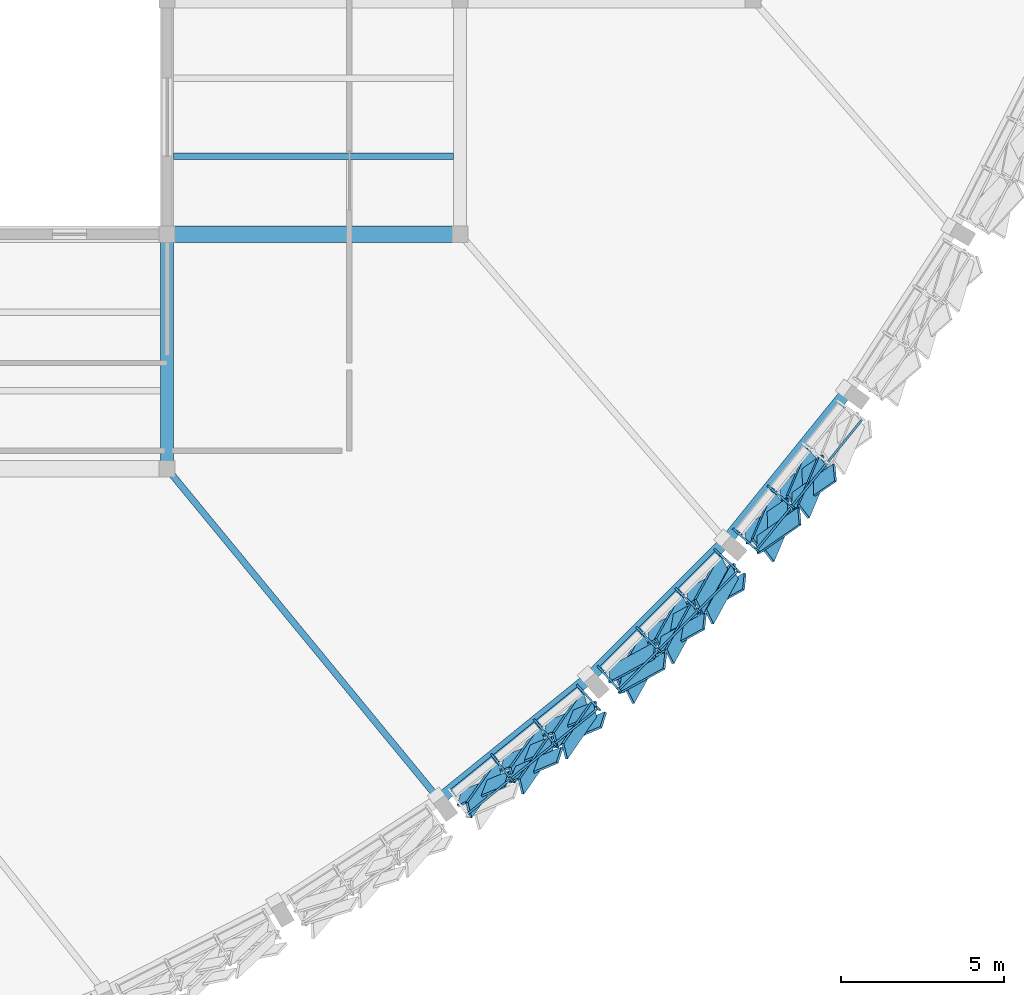
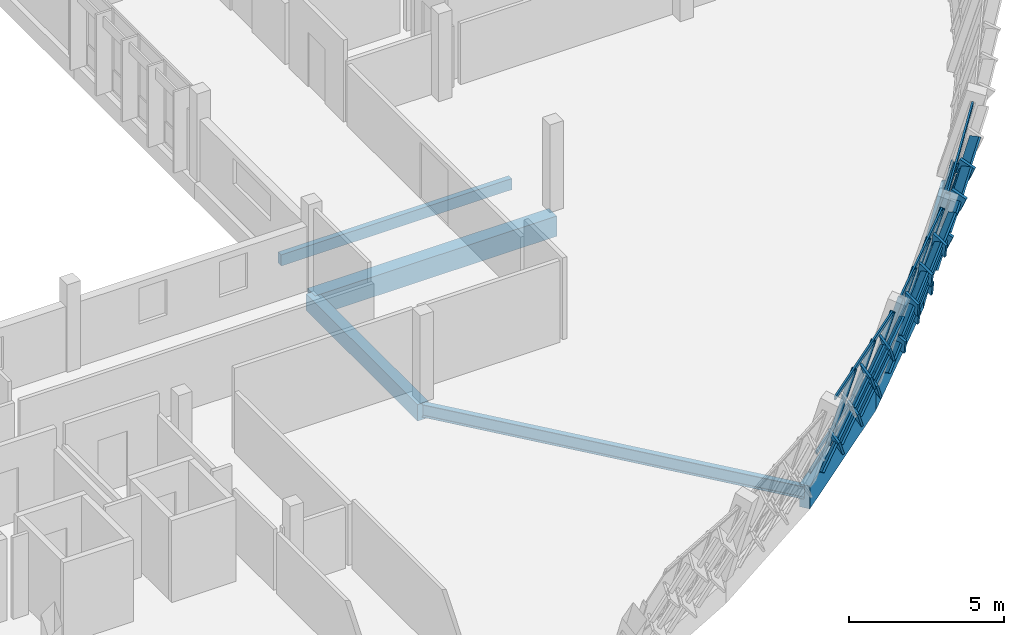
# One storey, part 9 of 24: 47 members, 7 beams, 3 elements without a shape of their own.
"""IFC4 building model written with IfcOpenShell, lengths in metres."""

import ifcopenshell
import ifcopenshell.guid

model = None  # the IFC model being written
_history = None  # IfcOwnerHistory: only IFC2X3 demands one
_inside = {}  # id of a spatial element -> (the spatial element, [elements in it])
_under = {}  # id of a project, library or spatial element -> (it, [spatial elements below it])
_declared = {}  # id of a project -> (the project, [libraries it declares])
_typed = {}  # id of a type object -> (the type object, [elements of that type])
_made_of = {}  # id of a material, layer set ... -> (it, [elements and type objects made of it])


def new_model(schema):
    """Start an empty IFC model of exactly this schema.

    Asked for "IFC4X3", IfcOpenShell would pick the latest addendum, in which some entities
    have other attributes; the version numbers below select the first issue.
    IFC2X3 requires an IfcOwnerHistory on every rooted entity: one is made here for all.
    """
    global model, _history
    if schema == "IFC4X3":
        model = ifcopenshell.file(schema_version=(4, 3, 0, 0))
    else:
        model = ifcopenshell.file(schema=schema)
    _inside.clear()
    _under.clear()
    _declared.clear()
    _typed.clear()
    _made_of.clear()
    _history = None
    if model.schema == "IFC2X3":
        org = make("IfcOrganization", Name="unknown")
        user = make(
            "IfcPersonAndOrganization",
            ThePerson=make("IfcPerson", FamilyName="unknown"),
            TheOrganization=org,
        )
        app = make(
            "IfcApplication",
            ApplicationDeveloper=org,
            Version="unknown",
            ApplicationFullName="unknown",
            ApplicationIdentifier="unknown",
        )
        _history = make(
            "IfcOwnerHistory",
            OwningUser=user,
            OwningApplication=app,
            ChangeAction="ADDED",
            CreationDate=0,
        )
    return model


def make(cls, **values):
    """One entity of the class cls with the attributes given. An attribute that is None is left unset."""
    return model.create_entity(
        cls, **{name: value for name, value in values.items() if value is not None}
    )


def rooted(cls, **values):
    """An entity with a GlobalId (a new one), such as an element, a storey or a relation."""
    return make(cls, GlobalId=ifcopenshell.guid.new(), OwnerHistory=_history, **values)


def si_unit(unit_type, name, prefix=None):
    """IfcSIUnit, for example si_unit("LENGTHUNIT", "METRE", prefix="MILLI")."""
    return make("IfcSIUnit", UnitType=unit_type, Prefix=prefix, Name=name)


def assignment(units):
    """IfcUnitAssignment: the units of a project."""
    return None if units is None else make("IfcUnitAssignment", Units=units)


def point(xyz):
    """IfcCartesianPoint."""
    return None if xyz is None else make("IfcCartesianPoint", Coordinates=xyz)


def direction(xyz):
    """IfcDirection."""
    return None if xyz is None else make("IfcDirection", DirectionRatios=xyz)


def frame(location, z_axis=None, x_axis=None):
    """IfcAxis2Placement3D, a coordinate frame: its origin and axes. An axis left out is left unset."""
    return make(
        "IfcAxis2Placement3D",
        Location=point(location),
        Axis=direction(z_axis),
        RefDirection=direction(x_axis),
    )


def frame_2d(location, x_axis=None):
    """IfcAxis2Placement2D, a coordinate frame in the plane: its origin and x axis."""
    return make(
        "IfcAxis2Placement2D", Location=point(location), RefDirection=direction(x_axis)
    )


def origin():
    """The frame at (0, 0, 0) with its axes left unset."""
    return frame((0.0, 0.0, 0.0))


def origin_2d():
    """The frame at (0, 0) in the plane with its x axis left unset."""
    return frame_2d((0.0, 0.0))


def place(relative_to, where):
    """IfcLocalPlacement: puts the frame where relative to a parent placement (None: the world)."""
    return make(
        "IfcLocalPlacement", PlacementRelTo=relative_to, RelativePlacement=where
    )


def context(
    kind, dimensions, precision=None, world=None, true_north=None, identifier=None
):
    """IfcGeometricRepresentationContext, for example the 3D "Model" context."""
    return make(
        "IfcGeometricRepresentationContext",
        ContextIdentifier=identifier,
        ContextType=kind,
        CoordinateSpaceDimension=dimensions,
        Precision=precision,
        WorldCoordinateSystem=world,
        TrueNorth=true_north,
    )


def subcontext(parent, identifier, kind, view, scale=None):
    """IfcGeometricRepresentationSubContext, for example "Body" below "Model"."""
    return make(
        "IfcGeometricRepresentationSubContext",
        ContextIdentifier=identifier,
        ContextType=kind,
        ParentContext=parent,
        TargetScale=scale,
        TargetView=view,
    )


def project(units=None, contexts=None):
    """IfcProject with its units and contexts."""
    return rooted(
        "IfcProject",
        Name="project",
        RepresentationContexts=contexts,
        UnitsInContext=assignment(units),
    )


def spatial(cls, under=None, at=None, **own):
    """A site, building, storey or space (cls), placed at a placement, below another one or the project."""
    s = rooted(cls, ObjectPlacement=at, **own)
    if under is not None:
        _under.setdefault(under.id(), (under, []))[1].append(s)
    return s


def profile(cls, at=None, kind="AREA", **sizes):
    """A parametric profile (cls). Its sizes go by their IFC names, for example OverallWidth=200.0."""
    return make(cls, ProfileType=kind, Position=at, **sizes)


def rectangle(**sizes):
    """IfcRectangleProfileDef."""
    return profile("IfcRectangleProfileDef", **sizes)


def hollow_rectangle(**sizes):
    """IfcRectangleHollowProfileDef."""
    return profile("IfcRectangleHollowProfileDef", **sizes)


def i_section(**sizes):
    """IfcIShapeProfileDef."""
    return profile("IfcIShapeProfileDef", **sizes)


def extrude(swept, where, along, depth):
    """IfcExtrudedAreaSolid: the profile swept, set in the frame where, extruded along a direction by depth."""
    return make(
        "IfcExtrudedAreaSolid",
        SweptArea=swept,
        Position=where,
        ExtrudedDirection=direction(along),
        Depth=depth,
    )


def shape(context_of_items, identifier, shape_type, items):
    """IfcShapeRepresentation: the items that make up one representation, for example the "Body"."""
    return make(
        "IfcShapeRepresentation",
        ContextOfItems=context_of_items,
        RepresentationIdentifier=identifier,
        RepresentationType=shape_type,
        Items=items,
    )


def material(Name=None, Category=None):
    """IfcMaterial."""
    return make("IfcMaterial", Name=Name, Category=Category)


def material_profile(
    of_material, cross_section, Name=None, Category=None, Priority=None
):
    """IfcMaterialProfile: a cross section and its material."""
    return make(
        "IfcMaterialProfile",
        Name=Name,
        Material=of_material,
        Profile=cross_section,
        Priority=Priority,
        Category=Category,
    )


def profile_set(profiles, Name=None, composite=None):
    """IfcMaterialProfileSet."""
    return make(
        "IfcMaterialProfileSet",
        Name=Name,
        MaterialProfiles=profiles,
        CompositeProfile=composite,
    )


def made_of(thing, what):
    """Note that an element or type object is made of a material, layer set ...; save() writes the relation."""
    if what is not None:
        _made_of.setdefault(what.id(), (what, []))[1].append(thing)
    return thing


def type_object(cls, material=None, **own):
    """A type object (cls), such as IfcWallType, which elements share."""
    return made_of(rooted(cls, **own), material)


def element(
    cls,
    number,
    at=None,
    inside=None,
    cuts=None,
    type_object=None,
    material=None,
    context=None,
    identifier="Body",
    shape_type=None,
    held_by="IfcProductDefinitionShape",
    body=None,
    shapes=None,
    **own,
):
    """One element of the class cls, such as IfcWall. Its Tag is "e" and its number.

    at: its placement. inside: the storey or other place that contains it. cuts: it is an
    opening in that element (IfcRelVoidsElement). A single representation is given by context,
    identifier, shape_type and body (its items); several are given by shapes. held_by: the class
    of the entity that holds the representations. save() writes the other relations.
    """
    e = rooted(cls, Tag="e%d" % number, ObjectPlacement=at, **own)
    if body is not None:
        shapes = [shape(context, identifier, shape_type, body)]
    if shapes is not None:
        e.Representation = make(held_by, Representations=shapes)
    if inside is not None:
        _inside.setdefault(inside.id(), (inside, []))[1].append(e)
    if cuts is not None:
        rooted(
            "IfcRelVoidsElement", RelatingBuildingElement=cuts, RelatedOpeningElement=e
        )
    if type_object is not None:
        _typed.setdefault(type_object.id(), (type_object, []))[1].append(e)
    return made_of(e, material)


def aggregate(whole, parts):
    """IfcRelAggregates: a whole, such as a stair, and the parts it consists of."""
    return rooted("IfcRelAggregates", RelatingObject=whole, RelatedObjects=parts)


def save(model, path):
    """Write the relations noted so far, then the file.

    IfcRelAggregates (storeys below a building ...), IfcRelContainedInSpatialStructure (elements
    in a storey), IfcRelDefinesByType, IfcRelAssociatesMaterial and IfcRelDeclares: one each for
    every whole, place, type object, material and project.
    """
    for whole, parts in _under.values():
        aggregate(whole, parts)
    for where, things in _inside.values():
        rooted(
            "IfcRelContainedInSpatialStructure",
            RelatedElements=things,
            RelatingStructure=where,
        )
    for kind, things in _typed.values():
        rooted("IfcRelDefinesByType", RelatedObjects=things, RelatingType=kind)
    for what, things in _made_of.values():
        rooted("IfcRelAssociatesMaterial", RelatedObjects=things, RelatingMaterial=what)
    for by, libraries in _declared.values():
        rooted("IfcRelDeclares", RelatingContext=by, RelatedDefinitions=libraries)
    model.write(path)


model = new_model("IFC4")

# Units and contexts
model_context = context("Model", 3, precision=1e-05, world=origin(), true_north=direction((0.0, 1.0)))
body_context = subcontext(model_context, "Body", "Model", "MODEL_VIEW")
ifc_project = project(units=[si_unit("LENGTHUNIT", "METRE"), si_unit("AREAUNIT", "SQUARE_METRE"), si_unit("VOLUMEUNIT", "CUBIC_METRE"), si_unit("PLANEANGLEUNIT", "RADIAN"), si_unit("MASSUNIT", "GRAM", prefix="KILO")], contexts=[model_context])

# Site, building, storey
site_placement = place(None, origin())
site = spatial("IfcSite", under=ifc_project, at=site_placement, CompositionType="ELEMENT")
building_placement = place(site_placement, origin())
building = spatial("IfcBuilding", under=site, at=building_placement, Name="Chiffa Square Polytechnic", CompositionType="ELEMENT")
storey_placement = place(building_placement, frame((0.0, 0.0, 26.39990234375)))
storey = spatial("IfcBuildingStorey", under=building, at=storey_placement, Name="L06", CompositionType="ELEMENT", Elevation=26.39990234375)

# Beams
ifc_material_1 = material(Name="Concrete C35/45", Category="concrete")
ifc_material_profile_1 = material_profile(ifc_material_1, rectangle(XDim=0.39990234375, YDim=0.64990234375, at=origin_2d()), Name="RC 400x650")
ifc_profile_set_1 = profile_set([ifc_material_profile_1], Name="Concrete C35/45")
beam_type_1 = type_object("IfcBeamType", Name="BM-RC-400X650", PredefinedType="BEAM", material=ifc_profile_set_1)
beam_1_placement = place(storey_placement, frame((148.199951171875, 21.60009765625, -0.544921875), z_axis=(0.0, 1.0, 0.0), x_axis=(-1.0, 0.0, 0.0)))
element("IfcBeam", 1, at=beam_1_placement, inside=storey, type_object=beam_type_1, Name="Primary floor girder BM-V1-L06-Y-1482-0216", PredefinedType="BEAM", context=body_context, shape_type="SweptSolid", body=[
    extrude(rectangle(XDim=0.39990234375, YDim=0.64990234375, at=origin_2d()), origin(), (0.0, 0.0, 1.0), 7.199951171875),
])
ifc_material_2 = material(Name="Concrete C40/50", Category="concrete")
ifc_material_profile_2 = material_profile(ifc_material_2, rectangle(XDim=0.5, YDim=0.800048828125, at=origin_2d()), Name="RC 500x800")
ifc_profile_set_2 = profile_set([ifc_material_profile_2], Name="Concrete C40/50")
beam_type_2 = type_object("IfcBeamType", Name="BM-RC-500X800", PredefinedType="BEAM", material=ifc_profile_set_2)
beam_2_placement = place(storey_placement, frame((148.199951171875, 28.800048828125, -0.619873046875), z_axis=(1.0, 0.0, 0.0), x_axis=(0.0, 1.0, 0.0)))
element("IfcBeam", 2, at=beam_2_placement, inside=storey, type_object=beam_type_2, Name="Primary floor girder BM-V1-L06-X-1482-0288", PredefinedType="BEAM", context=body_context, shape_type="SweptSolid", body=[
    extrude(rectangle(XDim=0.5, YDim=0.800048828125, at=origin_2d()), origin(), (0.0, 0.0, 1.0), 9.0),
])
ifc_material_3 = material(Name="Steel S355", Category="steel")
ifc_material_profile_3 = material_profile(ifc_material_3, i_section(OverallWidth=0.199951171875, OverallDepth=0.5, WebThickness=0.01025390625, FlangeThickness=0.01611328125, FilletRadius=0.02099609375, at=origin_2d()), Name="IPE 500")
ifc_profile_set_3 = profile_set([ifc_material_profile_3], Name="Steel S355")
beam_type_3 = type_object("IfcBeamType", Name="BM-STL-IPE500", PredefinedType="BEAM", material=ifc_profile_set_3)
beam_3_placement = place(storey_placement, frame((156.55908203125, 11.43505859375, -0.469970703125), z_axis=(-0.635160246873, 0.772380386074, 0.0), x_axis=(-0.772380386074, -0.635160246873, 0.0)))
element("IfcBeam", 3, at=beam_3_placement, inside=storey, type_object=beam_type_3, Name="Prow radial tie girder BM-V1-RAD-L06-09", PredefinedType="BEAM", context=body_context, shape_type="SweptSolid", body=[
    extrude(i_section(OverallWidth=0.199951171875, OverallDepth=0.5, WebThickness=0.01025390625, FlangeThickness=0.01611328125, FilletRadius=0.02099609375, at=origin_2d()), origin(), (0.0, 0.0, 1.0), 13.16064453125),
])

# Curtain wall, members
ifc_material_4 = material(Name="Aluminium EN AW-6060 T66 and glulam shading", Category="wood")
curtain_wall_type_1 = type_object("IfcCurtainWallType", Name="CW-PROW-LEAN-150", PredefinedType="USERDEFINED", material=ifc_material_4)
curtain_wall_1_placement = place(storey_placement, origin())
curtain_wall_1 = element("IfcCurtainWall", 4, at=curtain_wall_1_placement, inside=storey, type_object=curtain_wall_type_1, Name="Outward-leaning diamond-fin prow curtain wall CW-V1-L06-103", ObjectType="CURTAIN WALL", PredefinedType="USERDEFINED")
ifc_material_5 = material(Name="Aluminium EN AW-6060 T66", Category="aluminium")
ifc_material_profile_4 = material_profile(ifc_material_5, hollow_rectangle(XDim=0.06494140625, YDim=0.179931640625, WallThickness=0.00390625, at=origin_2d()), Name="ALU 65x180x4")
ifc_profile_set_4 = profile_set([ifc_material_profile_4], Name="Aluminium EN AW-6060 T66")
member_type_1 = type_object("IfcMemberType", Name="CWM-ALU-75X180", PredefinedType="MULLION", material=ifc_profile_set_4)
member_1_placement = place(storey_placement, frame((158.209228515625, 12.771728515625, 0.0), z_axis=(0.167554074429, -0.214320148408, 0.962285044116), x_axis=(0.787816645087, 0.615909842204, 0.0)))
member_1 = element("IfcMember", 5, at=member_1_placement, type_object=member_type_1, Name="Leaning prow mullion CW-V1-L06-103-M01", PredefinedType="MULLION", context=body_context, shape_type="SweptSolid", body=[
    extrude(hollow_rectangle(XDim=0.06494140625, YDim=0.179931640625, WallThickness=0.00390625, at=origin_2d()), origin(), (0.0, 0.0, 1.0), 3.341064453125),
])
member_2_placement = place(storey_placement, frame((159.525634765625, 13.83740234375, 0.0), z_axis=(0.174934766277, -0.208328746305, 0.962287358854), x_axis=(0.765815977547, 0.643059786127, 0.0)))
member_2 = element("IfcMember", 6, at=member_2_placement, type_object=member_type_1, Name="Leaning prow mullion CW-V1-L06-103-M02", PredefinedType="MULLION", context=body_context, shape_type="SweptSolid", body=[
    extrude(hollow_rectangle(XDim=0.06494140625, YDim=0.179931640625, WallThickness=0.00390625, at=origin_2d()), origin(), (0.0, 0.0, 1.0), 3.341064453125),
])
member_3_placement = place(storey_placement, frame((160.842041015625, 14.903076171875, 0.0), z_axis=(0.182228380657, -0.20232172656, 0.962215535234), x_axis=(0.743040575859, 0.669246369155, 0.0)))
member_3 = element("IfcMember", 7, at=member_3_placement, type_object=member_type_1, Name="Leaning prow mullion CW-V1-L06-103-M03", PredefinedType="MULLION", context=body_context, shape_type="SweptSolid", body=[
    extrude(hollow_rectangle(XDim=0.06494140625, YDim=0.179931640625, WallThickness=0.00390625, at=origin_2d()), origin(), (0.0, 0.0, 1.0), 3.34130859375),
])

curtain_wall_type_2 = type_object("IfcCurtainWallType", Name="CW-PROW-LEAN-300", PredefinedType="USERDEFINED", material=ifc_material_4)
curtain_wall_2_placement = place(storey_placement, origin())
curtain_wall_2 = element("IfcCurtainWall", 8, at=curtain_wall_2_placement, inside=storey, type_object=curtain_wall_type_2, Name="Outward-leaning diamond-fin prow curtain wall CW-V1-L06-104", ObjectType="CURTAIN WALL", PredefinedType="USERDEFINED")
member_4_placement = place(storey_placement, frame((161.47998046875, 15.47802734375, 0.0), z_axis=(0.182299019619, -0.202319032194, 0.962202721186), x_axis=(0.742907144413, 0.66939448368, 0.0)))
member_4 = element("IfcMember", 9, at=member_4_placement, type_object=member_type_1, Name="Leaning prow mullion CW-V1-L06-104-M00", PredefinedType="MULLION", context=body_context, shape_type="SweptSolid", body=[
    extrude(hollow_rectangle(XDim=0.06494140625, YDim=0.179931640625, WallThickness=0.00390625, at=origin_2d()), origin(), (0.0, 0.0, 1.0), 3.34130859375),
])
member_5_placement = place(storey_placement, frame((162.67724609375, 16.67529296875, 0.0), z_axis=(0.188967503944, -0.19561717249, 0.962302033813), x_axis=(0.719225521691, 0.694776689986, 0.0)))
member_5 = element("IfcMember", 10, at=member_5_placement, type_object=member_type_1, Name="Leaning prow mullion CW-V1-L06-104-M01", PredefinedType="MULLION", context=body_context, shape_type="SweptSolid", body=[
    extrude(hollow_rectangle(XDim=0.06494140625, YDim=0.179931640625, WallThickness=0.00390625, at=origin_2d()), origin(), (0.0, 0.0, 1.0), 3.341064453125),
])
member_6_placement = place(storey_placement, frame((163.874755859375, 17.872802734375, 0.0), z_axis=(0.195614470848, -0.189037966412, 0.962288743595), x_axis=(0.694915629349, 0.719091279384, 0.0)))
member_6 = element("IfcMember", 11, at=member_6_placement, type_object=member_type_1, Name="Leaning prow mullion CW-V1-L06-104-M02", PredefinedType="MULLION", context=body_context, shape_type="SweptSolid", body=[
    extrude(hollow_rectangle(XDim=0.06494140625, YDim=0.179931640625, WallThickness=0.00390625, at=origin_2d()), origin(), (0.0, 0.0, 1.0), 3.341064453125),
])
member_7_placement = place(storey_placement, frame((165.072021484375, 19.070068359375, 0.0), z_axis=(0.202319032194, -0.182299019619, 0.962202721186), x_axis=(0.66939448368, 0.742907144413, 0.0)))
member_7 = element("IfcMember", 12, at=member_7_placement, type_object=member_type_1, Name="Leaning prow mullion CW-V1-L06-104-M03", PredefinedType="MULLION", context=body_context, shape_type="SweptSolid", body=[
    extrude(hollow_rectangle(XDim=0.06494140625, YDim=0.179931640625, WallThickness=0.00390625, at=origin_2d()), origin(), (0.0, 0.0, 1.0), 3.34130859375),
])

curtain_wall_3_placement = place(storey_placement, origin())
curtain_wall_3 = element("IfcCurtainWall", 13, at=curtain_wall_3_placement, inside=storey, type_object=curtain_wall_type_1, Name="Outward-leaning diamond-fin prow curtain wall CW-V1-L06-105", ObjectType="CURTAIN WALL", PredefinedType="USERDEFINED")
member_8_placement = place(storey_placement, frame((165.64697265625, 19.7080078125, 0.0), z_axis=(0.20232172656, -0.182228380657, 0.962215535234), x_axis=(0.669246369155, 0.743040575859, 0.0)))
member_8 = element("IfcMember", 14, at=member_8_placement, type_object=member_type_1, Name="Leaning prow mullion CW-V1-L06-105-M00", PredefinedType="MULLION", context=body_context, shape_type="SweptSolid", body=[
    extrude(hollow_rectangle(XDim=0.06494140625, YDim=0.179931640625, WallThickness=0.00390625, at=origin_2d()), origin(), (0.0, 0.0, 1.0), 3.34130859375),
])
member_9_placement = place(storey_placement, frame((166.712646484375, 21.0244140625, 0.0), z_axis=(0.208328746305, -0.174934766277, 0.962287358854), x_axis=(0.643059786127, 0.765815977547, 0.0)))
member_9 = element("IfcMember", 15, at=member_9_placement, type_object=member_type_1, Name="Leaning prow mullion CW-V1-L06-105-M01", PredefinedType="MULLION", context=body_context, shape_type="SweptSolid", body=[
    extrude(hollow_rectangle(XDim=0.06494140625, YDim=0.179931640625, WallThickness=0.00390625, at=origin_2d()), origin(), (0.0, 0.0, 1.0), 3.341064453125),
])

# Member
ifc_material_6 = material(Name="Glulam GL28h", Category="wood")
ifc_material_profile_5 = material_profile(ifc_material_6, rectangle(XDim=0.080078125, YDim=0.580078125, at=origin_2d()), Name="GL28h 80x580")
ifc_profile_set_5 = profile_set([ifc_material_profile_5], Name="Glulam GL28h")
member_type_2 = type_object("IfcMemberType", Name="CWM-GL-80X580", PredefinedType="MULLION", material=ifc_profile_set_5)
member_10_placement = place(storey_placement, frame((157.2080078125, 11.464111328125, 0.0400390625), z_axis=(0.652171893095, 0.270461141803, 0.708182598368), x_axis=(-0.709380842432, 0.547137786126, 0.444318650727)))
member_10 = element("IfcMember", 16, at=member_10_placement, type_object=member_type_2, Name="Diamond glulam fin CW-V1-L06-103-DF01A", PredefinedType="MULLION", context=body_context, shape_type="SweptSolid", body=[
    extrude(rectangle(XDim=0.080078125, YDim=0.580078125, at=origin_2d()), origin(), (0.0, 0.0, 1.0), 2.21435546875),
])

member_11_placement = place(storey_placement, frame((158.3798828125, 12.4130859375, 0.0400390625), z_axis=(-0.407107840964, -0.584828382216, 0.701597440974), x_axis=(0.890079611542, -0.081624119798, 0.448437050415)))
member_11 = element("IfcMember", 17, at=member_11_placement, type_object=member_type_2, Name="Diamond glulam fin CW-V1-L06-103-DF01B", PredefinedType="MULLION", context=body_context, shape_type="SweptSolid", body=[
    extrude(rectangle(XDim=0.080078125, YDim=0.580078125, at=origin_2d()), origin(), (0.0, 0.0, 1.0), 2.235107421875),
])

member_12_placement = place(storey_placement, frame((158.52490234375, 12.530029296875, 0.0400390625), z_axis=(0.654459569625, 0.273679102389, 0.704827936905), x_axis=(-0.709046765837, 0.545853737794, 0.446426232195)))
member_12 = element("IfcMember", 18, at=member_12_placement, type_object=member_type_2, Name="Diamond glulam fin CW-V1-L06-103-DF03A", PredefinedType="MULLION", context=body_context, shape_type="SweptSolid", body=[
    extrude(rectangle(XDim=0.080078125, YDim=0.580078125, at=origin_2d()), origin(), (0.0, 0.0, 1.0), 2.224853515625),
])

member_13_placement = place(storey_placement, frame((159.696044921875, 13.47900390625, 0.0400390625), z_axis=(-0.40358386581, -0.583429965881, 0.704790421451), x_axis=(0.891459730155, -0.077344844209, 0.446449688752)))
member_13 = element("IfcMember", 19, at=member_13_placement, type_object=member_type_2, Name="Diamond glulam fin CW-V1-L06-103-DF03B", PredefinedType="MULLION", context=body_context, shape_type="SweptSolid", body=[
    extrude(rectangle(XDim=0.080078125, YDim=0.580078125, at=origin_2d()), origin(), (0.0, 0.0, 1.0), 2.224853515625),
])

member_14_placement = place(storey_placement, frame((158.798095703125, 12.180908203125, 1.608154296875), z_axis=(0.656708853794, 0.276762120141, 0.701524205002), x_axis=(-0.708642078887, 0.544692499264, 0.448482424714)))
member_14 = element("IfcMember", 20, at=member_14_placement, type_object=member_type_2, Name="Diamond glulam fin CW-V1-L06-103-DF04A", PredefinedType="MULLION", context=body_context, shape_type="SweptSolid", body=[
    extrude(rectangle(XDim=0.080078125, YDim=0.580078125, at=origin_2d()), origin(), (0.0, 0.0, 1.0), 2.233642578125),
])

member_15_placement = place(storey_placement, frame((159.98095703125, 13.138916015625, 1.608154296875), z_axis=(-0.407029287975, -0.584797115599, 0.701669076073), x_axis=(0.890110702479, -0.081528895177, 0.448392658932)))
member_15 = element("IfcMember", 21, at=member_15_placement, type_object=member_type_2, Name="Diamond glulam fin CW-V1-L06-103-DF04B", PredefinedType="MULLION", context=body_context, shape_type="SweptSolid", body=[
    extrude(rectangle(XDim=0.080078125, YDim=0.580078125, at=origin_2d()), origin(), (0.0, 0.0, 1.0), 2.233154296875),
])

member_16_placement = place(storey_placement, frame((159.841064453125, 13.595947265625, 0.0400390625), z_axis=(0.656767839745, 0.276556821925, 0.701549947561), x_axis=(-0.708494865445, 0.54489709576, 0.44846647664)))
member_16 = element("IfcMember", 22, at=member_16_placement, type_object=member_type_2, Name="Diamond glulam fin CW-V1-L06-103-DF05A", PredefinedType="MULLION", context=body_context, shape_type="SweptSolid", body=[
    extrude(rectangle(XDim=0.080078125, YDim=0.580078125, at=origin_2d()), origin(), (0.0, 0.0, 1.0), 2.235107421875),
])

member_17_placement = place(storey_placement, frame((161.012939453125, 14.544921875, 0.0400390625), z_axis=(-0.400146018595, -0.581639638492, 0.708222065978), x_axis=(0.892879004512, -0.073281372939, 0.444293735812)))
member_17 = element("IfcMember", 23, at=member_17_placement, type_object=member_type_2, Name="Diamond glulam fin CW-V1-L06-103-DF05B", PredefinedType="MULLION", context=body_context, shape_type="SweptSolid", body=[
    extrude(rectangle(XDim=0.080078125, YDim=0.580078125, at=origin_2d()), origin(), (0.0, 0.0, 1.0), 2.214111328125),
])

member_18_placement = place(storey_placement, frame((160.126953125, 13.257080078125, 1.608154296875), z_axis=(0.659083144438, 0.279386846305, 0.698249524761), x_axis=(-0.707881925786, 0.544014064311, 0.450501805743)))
member_18 = element("IfcMember", 24, at=member_18_placement, type_object=member_type_2, Name="Diamond glulam fin CW-V1-L06-103-DF06A", PredefinedType="MULLION", context=body_context, shape_type="SweptSolid", body=[
    extrude(rectangle(XDim=0.080078125, YDim=0.580078125, at=origin_2d()), origin(), (0.0, 0.0, 1.0), 2.244140625),
])

member_19_placement = place(storey_placement, frame((161.30908203125, 14.214111328125, 1.608154296875), z_axis=(-0.403579168431, -0.583179587697, 0.705000300214), x_axis=(0.891519761884, -0.07741042024, 0.446318430057)))
member_19 = element("IfcMember", 25, at=member_19_placement, type_object=member_type_2, Name="Diamond glulam fin CW-V1-L06-103-DF06B", PredefinedType="MULLION", context=body_context, shape_type="SweptSolid", body=[
    extrude(rectangle(XDim=0.080078125, YDim=0.580078125, at=origin_2d()), origin(), (0.0, 0.0, 1.0), 2.22265625),
])

member_20_placement = place(storey_placement, frame((161.819091796875, 15.27001953125, 0.0400390625), z_axis=(0.620062343137, 0.337433891161, 0.708280353899), x_axis=(-0.777905088759, 0.381699099741, 0.499168779213)))
member_20 = element("IfcMember", 26, at=member_20_placement, type_object=member_type_2, Name="Diamond glulam fin CW-V1-L06-104-DF01A", PredefinedType="MULLION", context=body_context, shape_type="SweptSolid", body=[
    extrude(rectangle(XDim=0.080078125, YDim=0.580078125, at=origin_2d()), origin(), (0.0, 0.0, 1.0), 2.2138671875),
])

member_21_placement = place(storey_placement, frame((162.884033203125, 16.3359375, 0.0400390625), z_axis=(-0.34366192646, -0.624184439858, 0.701633996711), x_axis=(0.858714198326, 0.093568468319, 0.503840120802)))
member_21 = element("IfcMember", 27, at=member_21_placement, type_object=member_type_2, Name="Diamond glulam fin CW-V1-L06-104-DF01B", PredefinedType="MULLION", context=body_context, shape_type="SweptSolid", body=[
    extrude(rectangle(XDim=0.080078125, YDim=0.580078125, at=origin_2d()), origin(), (0.0, 0.0, 1.0), 2.23486328125),
])

member_22_placement = place(storey_placement, frame((162.115966796875, 14.94091796875, 1.608154296875), z_axis=(0.62219264851, 0.340585949343, 0.704895395964), x_axis=(-0.776745085912, 0.380927593036, 0.501558810484)))
member_22 = element("IfcMember", 28, at=member_22_placement, type_object=member_type_2, Name="Diamond glulam fin CW-V1-L06-104-DF02A", PredefinedType="MULLION", context=body_context, shape_type="SweptSolid", body=[
    extrude(rectangle(XDim=0.080078125, YDim=0.580078125, at=origin_2d()), origin(), (0.0, 0.0, 1.0), 2.222900390625),
])

member_23_placement = place(storey_placement, frame((163.19189453125, 16.01708984375, 1.608154296875), z_axis=(-0.346670410674, -0.626204712314, 0.698346106625), x_axis=(0.857802994032, 0.089541419179, 0.506118916541)))
member_23 = element("IfcMember", 29, at=member_23_placement, type_object=member_type_2, Name="Diamond glulam fin CW-V1-L06-104-DF02B", PredefinedType="MULLION", context=body_context, shape_type="SweptSolid", body=[
    extrude(rectangle(XDim=0.080078125, YDim=0.580078125, at=origin_2d()), origin(), (0.0, 0.0, 1.0), 2.24365234375),
])

member_24_placement = place(storey_placement, frame((163.01611328125, 16.468017578125, 0.0400390625), z_axis=(0.622153742681, 0.340384395917, 0.705027079965), x_axis=(-0.776741824047, 0.38105607267, 0.501466258344)))
member_24 = element("IfcMember", 30, at=member_24_placement, type_object=member_type_2, Name="Diamond glulam fin CW-V1-L06-104-DF03A", PredefinedType="MULLION", context=body_context, shape_type="SweptSolid", body=[
    extrude(rectangle(XDim=0.080078125, YDim=0.580078125, at=origin_2d()), origin(), (0.0, 0.0, 1.0), 2.22412109375),
])

member_25_placement = place(storey_placement, frame((164.08203125, 17.533935546875, 0.0400390625), z_axis=(-0.340361150943, -0.622221014091, 0.704978933411), x_axis=(0.859589512362, 0.097997543409, 0.501500101419)))
member_25 = element("IfcMember", 31, at=member_25_placement, type_object=member_type_2, Name="Diamond glulam fin CW-V1-L06-104-DF03B", PredefinedType="MULLION", context=body_context, shape_type="SweptSolid", body=[
    extrude(rectangle(XDim=0.080078125, YDim=0.580078125, at=origin_2d()), origin(), (0.0, 0.0, 1.0), 2.224365234375),
])

member_26_placement = place(storey_placement, frame((163.324951171875, 16.14990234375, 1.608154296875), z_axis=(0.623983703664, 0.343595653157, 0.70184497198), x_axis=(-0.775805105338, 0.380025816068, 0.503693178089)))
member_26 = element("IfcMember", 32, at=member_26_placement, type_object=member_type_2, Name="Diamond glulam fin CW-V1-L06-104-DF04A", PredefinedType="MULLION", context=body_context, shape_type="SweptSolid", body=[
    extrude(rectangle(XDim=0.080078125, YDim=0.580078125, at=origin_2d()), origin(), (0.0, 0.0, 1.0), 2.232421875),
])

member_27_placement = place(storey_placement, frame((164.39990234375, 17.22509765625, 1.608154296875), z_axis=(-0.343499202321, -0.62400714691, 0.701871340496), x_axis=(0.858787635744, 0.0937842524, 0.503674806492)))
member_27 = element("IfcMember", 33, at=member_27_placement, type_object=member_type_2, Name="Diamond glulam fin CW-V1-L06-104-DF04B", PredefinedType="MULLION", context=body_context, shape_type="SweptSolid", body=[
    extrude(rectangle(XDim=0.080078125, YDim=0.580078125, at=origin_2d()), origin(), (0.0, 0.0, 1.0), 2.232421875),
])

member_28_placement = place(storey_placement, frame((164.214111328125, 17.666015625, 0.0400390625), z_axis=(0.624117755001, 0.343685359222, 0.701681837979), x_axis=(-0.775711484316, 0.380066302077, 0.503806807343)))
member_28 = element("IfcMember", 34, at=member_28_placement, type_object=member_type_2, Name="Diamond glulam fin CW-V1-L06-104-DF05A", PredefinedType="MULLION", context=body_context, shape_type="SweptSolid", body=[
    extrude(rectangle(XDim=0.080078125, YDim=0.580078125, at=origin_2d()), origin(), (0.0, 0.0, 1.0), 2.23486328125),
])

member_29_placement = place(storey_placement, frame((165.280029296875, 18.73095703125, 0.0400390625), z_axis=(-0.337410819153, -0.62013021141, 0.7082319253), x_axis=(0.860466677035, 0.101947671474, 0.499203134999)))
member_29 = element("IfcMember", 35, at=member_29_placement, type_object=member_type_2, Name="Diamond glulam fin CW-V1-L06-104-DF05B", PredefinedType="MULLION", context=body_context, shape_type="SweptSolid", body=[
    extrude(rectangle(XDim=0.080078125, YDim=0.580078125, at=origin_2d()), origin(), (0.0, 0.0, 1.0), 2.214111328125),
])

member_30_placement = place(storey_placement, frame((164.532958984375, 17.35791015625, 1.608154296875), z_axis=(0.626181088626, 0.346766138914, 0.698319761391), x_axis=(-0.774533995263, 0.379370972475, 0.506137091533)))
member_30 = element("IfcMember", 36, at=member_30_placement, type_object=member_type_2, Name="Diamond glulam fin CW-V1-L06-104-DF06A", PredefinedType="MULLION", context=body_context, shape_type="SweptSolid", body=[
    extrude(rectangle(XDim=0.080078125, YDim=0.580078125, at=origin_2d()), origin(), (0.0, 0.0, 1.0), 2.243896484375),
])

member_31_placement = place(storey_placement, frame((165.60888671875, 18.43408203125, 1.608154296875), z_axis=(-0.340488853153, -0.622215920359, 0.704921761141), x_axis=(0.859585911474, 0.097823338014, 0.501540282864)))
member_31 = element("IfcMember", 37, at=member_31_placement, type_object=member_type_2, Name="Diamond glulam fin CW-V1-L06-104-DF06B", PredefinedType="MULLION", context=body_context, shape_type="SweptSolid", body=[
    extrude(rectangle(XDim=0.080078125, YDim=0.580078125, at=origin_2d()), origin(), (0.0, 0.0, 1.0), 2.222900390625),
])

member_32_placement = place(storey_placement, frame((166.0048828125, 19.537109375, 0.0400390625), z_axis=(0.581712592276, 0.400120355832, 0.708176645221), x_axis=(-0.810091617314, 0.206611072165, 0.548692478913)))
member_32 = element("IfcMember", 38, at=member_32_placement, type_object=member_type_2, Name="Diamond glulam fin CW-V1-L06-105-DF01A", PredefinedType="MULLION", context=body_context, shape_type="SweptSolid", body=[
    extrude(rectangle(XDim=0.080078125, YDim=0.580078125, at=origin_2d()), origin(), (0.0, 0.0, 1.0), 2.21435546875),
])

member_33_placement = place(storey_placement, frame((166.9541015625, 20.708984375, 0.0400390625), z_axis=(-0.276556821925, -0.656767839745, 0.701549947561), x_axis=(0.791582894761, 0.258246065437, 0.553809976804)))
member_33 = element("IfcMember", 39, at=member_33_placement, type_object=member_type_2, Name="Diamond glulam fin CW-V1-L06-105-DF01B", PredefinedType="MULLION", context=body_context, shape_type="SweptSolid", body=[
    extrude(rectangle(XDim=0.080078125, YDim=0.580078125, at=origin_2d()), origin(), (0.0, 0.0, 1.0), 2.235107421875),
])

member_34_placement = place(storey_placement, frame((166.3359375, 19.240966796875, 1.608154296875), z_axis=(0.583179587697, 0.403579168431, 0.705000300214), x_axis=(-0.808646520633, 0.205709428514, 0.551157360187)))
member_34 = element("IfcMember", 40, at=member_34_placement, type_object=member_type_2, Name="Diamond glulam fin CW-V1-L06-105-DF02A", PredefinedType="MULLION", context=body_context, shape_type="SweptSolid", body=[
    extrude(rectangle(XDim=0.080078125, YDim=0.580078125, at=origin_2d()), origin(), (0.0, 0.0, 1.0), 2.22265625),
])

member_35_placement = place(storey_placement, frame((167.29296875, 20.423095703125, 1.608154296875), z_axis=(-0.279386846305, -0.659083144438, 0.698249524761), x_axis=(0.791196364971, 0.253993283107, 0.556323398926)))
member_35 = element("IfcMember", 41, at=member_35_placement, type_object=member_type_2, Name="Diamond glulam fin CW-V1-L06-105-DF02B", PredefinedType="MULLION", context=body_context, shape_type="SweptSolid", body=[
    extrude(rectangle(XDim=0.080078125, YDim=0.580078125, at=origin_2d()), origin(), (0.0, 0.0, 1.0), 2.244140625),
])

member_36_placement = place(storey_placement, frame((167.071044921875, 20.85400390625, 0.0400390625), z_axis=(0.583357580534, 0.403609703011, 0.704835541718), x_axis=(-0.808519128748, 0.205869119653, 0.551284612539)))
member_36 = element("IfcMember", 42, at=member_36_placement, type_object=member_type_2, Name="Diamond glulam fin CW-V1-L06-105-DF03A", PredefinedType="MULLION", context=body_context, shape_type="SweptSolid", body=[
    extrude(rectangle(XDim=0.080078125, YDim=0.580078125, at=origin_2d()), origin(), (0.0, 0.0, 1.0), 2.224853515625),
])

member_37_placement = place(storey_placement, frame((168.02001953125, 22.02490234375, 0.0400390625), z_axis=(-0.273800275065, -0.654377170426, 0.70485738146), x_axis=(0.79198584978, 0.262416241711, 0.551267747863)))
member_37 = element("IfcMember", 43, at=member_37_placement, type_object=member_type_2, Name="Diamond glulam fin CW-V1-L06-105-DF03B", PredefinedType="MULLION", context=body_context, shape_type="SweptSolid", body=[
    extrude(rectangle(XDim=0.080078125, YDim=0.580078125, at=origin_2d()), origin(), (0.0, 0.0, 1.0), 2.224609375),
])

member_38_placement = place(storey_placement, frame((167.410888671875, 20.569091796875, 1.608154296875), z_axis=(0.584869048075, 0.40700326467, 0.701624215055), x_axis=(-0.807025510853, 0.205103078479, 0.553753150809)))
member_38 = element("IfcMember", 44, at=member_38_placement, type_object=member_type_2, Name="Diamond glulam fin CW-V1-L06-105-DF04A", PredefinedType="MULLION", context=body_context, shape_type="SweptSolid", body=[
    extrude(rectangle(XDim=0.080078125, YDim=0.580078125, at=origin_2d()), origin(), (0.0, 0.0, 1.0), 2.233154296875),
])

member_39_placement = place(storey_placement, frame((168.368896484375, 21.751953125, 1.608154296875), z_axis=(-0.276641322327, -0.656790875489, 0.701495063885), x_axis=(0.791591314863, 0.258130185467, 0.553851963601)))
member_39 = element("IfcMember", 45, at=member_39_placement, type_object=member_type_2, Name="Diamond glulam fin CW-V1-L06-105-DF04B", PredefinedType="MULLION", context=body_context, shape_type="SweptSolid", body=[
    extrude(rectangle(XDim=0.080078125, YDim=0.580078125, at=origin_2d()), origin(), (0.0, 0.0, 1.0), 2.233642578125),
])

ifc_material_profile_6 = material_profile(ifc_material_5, hollow_rectangle(XDim=0.06494140625, YDim=0.139892578125, WallThickness=0.00390625, at=origin_2d()), Name="ALU 65x140x4")
ifc_profile_set_6 = profile_set([ifc_material_profile_6], Name="Aluminium EN AW-6060 T66")
member_type_3 = type_object("IfcMemberType", Name="CWT-ALU-75X140", PredefinedType="USERDEFINED", material=ifc_profile_set_6)
member_40_placement = place(storey_placement, frame((156.899658203125, 11.69677734375, 0.0400390625), z_axis=(0.777228089574, 0.629218957738, 0.0), x_axis=(-0.629218957738, 0.777228089574, 0.0)))
member_40 = element("IfcMember", 46, at=member_40_placement, type_object=member_type_3, Name="Leaning prow transom CW-V1-L06-103-T01", ObjectType="TRANSOM", PredefinedType="USERDEFINED", context=body_context, shape_type="SweptSolid", body=[
    extrude(hollow_rectangle(XDim=0.06494140625, YDim=0.139892578125, WallThickness=0.00390625, at=origin_2d()), origin(), (0.0, 0.0, 1.0), 5.08203125),
])

member_41_placement = place(storey_placement, frame((157.034423828125, 11.511474609375, 0.85009765625), z_axis=(0.777217033012, 0.629232614853, 0.0), x_axis=(-0.629232614853, 0.777217033012, 0.0)))
member_41 = element("IfcMember", 47, at=member_41_placement, type_object=member_type_3, Name="Leaning prow transom CW-V1-L06-103-T02", ObjectType="TRANSOM", PredefinedType="USERDEFINED", context=body_context, shape_type="SweptSolid", body=[
    extrude(hollow_rectangle(XDim=0.06494140625, YDim=0.139892578125, WallThickness=0.00390625, at=origin_2d()), origin(), (0.0, 0.0, 1.0), 5.10595703125),
])

member_42_placement = place(storey_placement, frame((157.42138671875, 10.979248046875, 3.175048828125), z_axis=(0.777223995265, 0.629224015105, 0.0), x_axis=(-0.629224015105, 0.777223995265, 0.0)))
member_42 = element("IfcMember", 48, at=member_42_placement, type_object=member_type_3, Name="Leaning prow transom CW-V1-L06-103-T03", ObjectType="TRANSOM", PredefinedType="USERDEFINED", context=body_context, shape_type="SweptSolid", body=[
    extrude(hollow_rectangle(XDim=0.06494140625, YDim=0.139892578125, WallThickness=0.00390625, at=origin_2d()), origin(), (0.0, 0.0, 1.0), 5.1748046875),
])

aggregate(curtain_wall_1, [member_1, member_2, member_3, member_40, member_41, member_42, member_10, member_11, member_12, member_13, member_14, member_15, member_16, member_17, member_18, member_19])

member_43_placement = place(storey_placement, frame((161.487548828125, 15.469482421875, 0.0400390625), z_axis=(0.707082756493, 0.707130805063, 0.0), x_axis=(-0.707130805063, 0.707082756493, 0.0)))
member_43 = element("IfcMember", 49, at=member_43_placement, type_object=member_type_3, Name="Leaning prow transom CW-V1-L06-104-T01", ObjectType="TRANSOM", PredefinedType="USERDEFINED", context=body_context, shape_type="SweptSolid", body=[
    extrude(hollow_rectangle(XDim=0.06494140625, YDim=0.139892578125, WallThickness=0.00390625, at=origin_2d()), origin(), (0.0, 0.0, 1.0), 5.0810546875),
])

member_44_placement = place(storey_placement, frame((161.64111328125, 15.29931640625, 0.85009765625), z_axis=(0.707106781187, 0.707106781187, 0.0), x_axis=(-0.707106781187, 0.707106781187, 0.0)))
member_44 = element("IfcMember", 50, at=member_44_placement, type_object=member_type_3, Name="Leaning prow transom CW-V1-L06-104-T02", ObjectType="TRANSOM", PredefinedType="USERDEFINED", context=body_context, shape_type="SweptSolid", body=[
    extrude(hollow_rectangle(XDim=0.06494140625, YDim=0.139892578125, WallThickness=0.00390625, at=origin_2d()), origin(), (0.0, 0.0, 1.0), 5.104736328125),
])

member_45_placement = place(storey_placement, frame((162.081298828125, 14.810302734375, 3.175048828125), z_axis=(0.707106781187, 0.707106781187, 0.0), x_axis=(-0.707106781187, 0.707106781187, 0.0)))
member_45 = element("IfcMember", 51, at=member_45_placement, type_object=member_type_3, Name="Leaning prow transom CW-V1-L06-104-T03", ObjectType="TRANSOM", PredefinedType="USERDEFINED", context=body_context, shape_type="SweptSolid", body=[
    extrude(hollow_rectangle(XDim=0.06494140625, YDim=0.139892578125, WallThickness=0.00390625, at=origin_2d()), origin(), (0.0, 0.0, 1.0), 5.173583984375),
])

aggregate(curtain_wall_2, [member_4, member_5, member_6, member_7, member_43, member_44, member_45, member_20, member_21, member_22, member_23, member_24, member_25, member_26, member_27, member_28, member_29, member_30, member_31])

member_46_placement = place(storey_placement, frame((165.82568359375, 19.547119140625, 0.85009765625), z_axis=(0.629232614853, 0.777217033012, 0.0), x_axis=(-0.777217033012, 0.629232614853, 0.0)))
member_46 = element("IfcMember", 52, at=member_46_placement, type_object=member_type_3, Name="Leaning prow transom CW-V1-L06-105-T02", ObjectType="TRANSOM", PredefinedType="USERDEFINED", context=body_context, shape_type="SweptSolid", body=[
    extrude(hollow_rectangle(XDim=0.06494140625, YDim=0.139892578125, WallThickness=0.00390625, at=origin_2d()), origin(), (0.0, 0.0, 1.0), 5.10595703125),
])

member_47_placement = place(storey_placement, frame((166.314697265625, 19.106689453125, 3.175048828125), z_axis=(0.629224015105, 0.777223995265, 0.0), x_axis=(-0.777223995265, 0.629224015105, 0.0)))
member_47 = element("IfcMember", 53, at=member_47_placement, type_object=member_type_3, Name="Leaning prow transom CW-V1-L06-105-T03", ObjectType="TRANSOM", PredefinedType="USERDEFINED", context=body_context, shape_type="SweptSolid", body=[
    extrude(hollow_rectangle(XDim=0.06494140625, YDim=0.139892578125, WallThickness=0.00390625, at=origin_2d()), origin(), (0.0, 0.0, 1.0), 5.1748046875),
])

aggregate(curtain_wall_3, [member_8, member_9, member_46, member_47, member_32, member_33, member_34, member_35, member_36, member_37, member_38, member_39])

# Beams
ifc_material_profile_7 = material_profile(ifc_material_6, rectangle(XDim=0.199951171875, YDim=0.43994140625, at=origin_2d()), Name="GL28h 200x440")
ifc_profile_set_7 = profile_set([ifc_material_profile_7], Name="Glulam GL28h")
beam_type_4 = type_object("IfcBeamType", Name="JST-GL-200X440", PredefinedType="JOIST", material=ifc_profile_set_7)
beam_4_placement = place(storey_placement, frame((148.39794921875, 31.199951171875, -0.43994140625), z_axis=(1.0, 0.0, 0.0), x_axis=(0.0, 1.0, 0.0)))
element("IfcBeam", 54, at=beam_4_placement, inside=storey, type_object=beam_type_4, Name="Secondary floor joist JST-V1-L06-1482-0312", PredefinedType="JOIST", context=body_context, shape_type="SweptSolid", body=[
    extrude(rectangle(XDim=0.199951171875, YDim=0.43994140625, at=origin_2d()), origin(), (0.0, 0.0, 1.0), 8.60400390625),
])
ifc_material_7 = material(Name="Glulam GL32c", Category="wood")
ifc_material_profile_8 = material_profile(ifc_material_7, rectangle(XDim=0.360107421875, YDim=0.89990234375, at=origin_2d()), Name="GL32c 360x900")
ifc_profile_set_8 = profile_set([ifc_material_profile_8], Name="Glulam GL32c")
beam_type_5 = type_object("IfcBeamType", Name="RB-GL-360X900", PredefinedType="SPANDREL", material=ifc_profile_set_8)
beam_5_placement = place(storey_placement, frame((156.55908203125, 11.43505859375, -0.669921875), z_axis=(0.777122363071, 0.629349531512, 0.0), x_axis=(-0.629349531512, 0.777122363071, 0.0)))
element("IfcBeam", 55, at=beam_5_placement, inside=storey, type_object=beam_type_5, Name="Prow perimeter edge beam RB-V1-PROW-L06-09", PredefinedType="SPANDREL", context=body_context, shape_type="SweptSolid", body=[
    extrude(rectangle(XDim=0.360107421875, YDim=0.89990234375, at=origin_2d()), origin(), (0.0, 0.0, 1.0), 5.941162109375),
])
beam_6_placement = place(storey_placement, frame((161.176025390625, 15.174072265625, -0.669921875), z_axis=(0.707106781187, 0.707106781187, 0.0), x_axis=(-0.707106781187, 0.707106781187, 0.0)))
element("IfcBeam", 56, at=beam_6_placement, inside=storey, type_object=beam_type_5, Name="Prow perimeter edge beam RB-V1-PROW-L06-10", PredefinedType="SPANDREL", context=body_context, shape_type="SweptSolid", body=[
    extrude(rectangle(XDim=0.360107421875, YDim=0.89990234375, at=origin_2d()), origin(), (0.0, 0.0, 1.0), 5.939697265625),
])
beam_7_placement = place(storey_placement, frame((165.3759765625, 19.3740234375, -0.669921875), z_axis=(0.629349531512, 0.777122363071, 0.0), x_axis=(-0.777122363071, 0.629349531512, 0.0)))
element("IfcBeam", 57, at=beam_7_placement, inside=storey, type_object=beam_type_5, Name="Prow perimeter edge beam RB-V1-PROW-L06-11", PredefinedType="SPANDREL", context=body_context, shape_type="SweptSolid", body=[
    extrude(rectangle(XDim=0.360107421875, YDim=0.89990234375, at=origin_2d()), origin(), (0.0, 0.0, 1.0), 5.941162109375),
])

save(model, "model.ifc")
